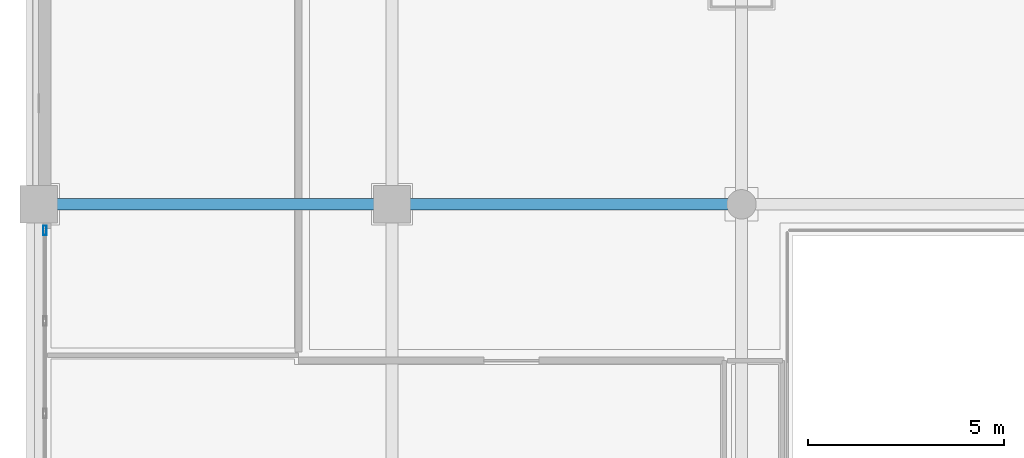
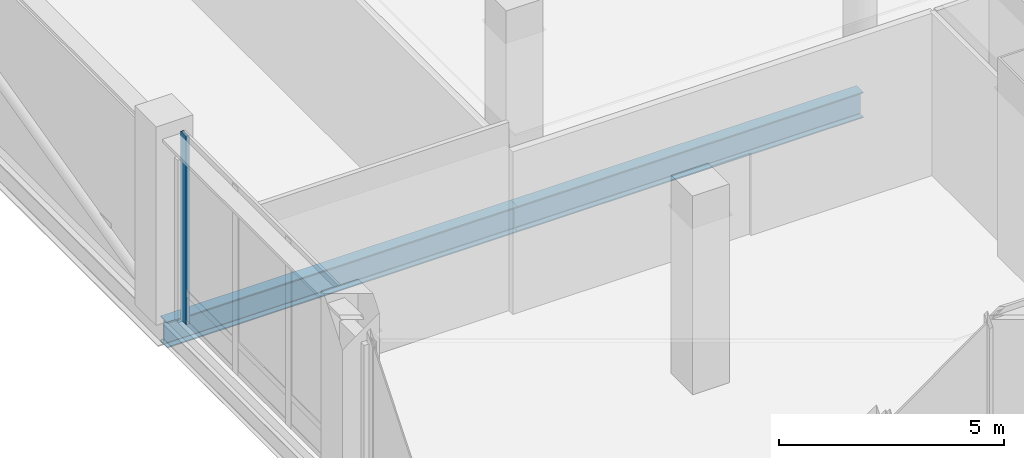
# One storey, part 6 of 43: 2 beams, 1 member, 1 element without a shape of its own.
"""IFC4 building model written with IfcOpenShell, lengths in metres."""

from ifc_helpers import new_model, si_unit, direction, frame, origin, origin_2d, place, context, subcontext, project, spatial, hollow_rectangle, i_section, extrude, material, material_profile, profile_set, type_object, element, aggregate, save


model = new_model("IFC4")

# Units and contexts
model_context = context("Model", 3, precision=1e-05, world=origin(), true_north=direction((0.0, 1.0)))
body_context = subcontext(model_context, "Body", "Model", "MODEL_VIEW")
ifc_project = project(units=[si_unit("LENGTHUNIT", "METRE"), si_unit("AREAUNIT", "SQUARE_METRE"), si_unit("VOLUMEUNIT", "CUBIC_METRE"), si_unit("PLANEANGLEUNIT", "RADIAN"), si_unit("MASSUNIT", "GRAM", prefix="KILO")], contexts=[model_context])

# Site, building, storey
site_placement = place(None, origin())
site = spatial("IfcSite", under=ifc_project, at=site_placement, CompositionType="ELEMENT")
building_placement = place(site_placement, origin())
building = spatial("IfcBuilding", under=site, at=building_placement, Name="Punatoya Terracotta Tower", CompositionType="ELEMENT")
storey_placement = place(building_placement, frame((0.0, 0.0, 6.0)))
storey = spatial("IfcBuildingStorey", under=building, at=storey_placement, Name="L01", CompositionType="ELEMENT", Elevation=6.0)

# Beams
ifc_material_1 = material(Name="Steel S355", Category="steel")
ifc_material_profile_1 = material_profile(ifc_material_1, i_section(OverallWidth=0.300048828125, OverallDepth=0.699951171875, WebThickness=0.01708984375, FlangeThickness=0.031982421875, FilletRadius=0.01806640625, at=origin_2d()))
ifc_profile_set_1 = profile_set([ifc_material_profile_1], Name="Steel S355")
beam_type = type_object("IfcBeamType", Name="BM-PRI-700", PredefinedType="BEAM", material=ifc_profile_set_1)
beam_1_placement = place(storey_placement, frame((-37.0, -9.199951171875, -0.6298828125), z_axis=(1.0, 0.0, 0.0), x_axis=(0.0, 1.0, 0.0)))
element("IfcBeam", 1, at=beam_1_placement, inside=storey, type_object=beam_type, Name="BM-L01-CW1", PredefinedType="BEAM", context=body_context, shape_type="SweptSolid", body=[
    extrude(i_section(OverallWidth=0.300048828125, OverallDepth=0.699951171875, WebThickness=0.01708984375, FlangeThickness=0.031982421875, FilletRadius=0.01806640625, at=origin_2d()), origin(), (0.0, 0.0, 1.0), 9.0),
])
beam_2_placement = place(storey_placement, frame((-28.0, -9.199951171875, -0.6298828125), z_axis=(1.0, 0.0, 0.0), x_axis=(0.0, 1.0, 0.0)))
element("IfcBeam", 2, at=beam_2_placement, inside=storey, type_object=beam_type, Name="BM-L01-CW2", PredefinedType="BEAM", context=body_context, shape_type="SweptSolid", body=[
    extrude(i_section(OverallWidth=0.300048828125, OverallDepth=0.699951171875, WebThickness=0.01708984375, FlangeThickness=0.031982421875, FilletRadius=0.01806640625, at=origin_2d()), origin(), (0.0, 0.0, 1.0), 8.89990234375),
])

# Curtain wall, member
ifc_material_2 = material(Name="Aluminium 6063-T6 + Double Low-E Glass", Category="aluminium")
curtain_wall_type = type_object("IfcCurtainWallType", Name="CW-POD", PredefinedType="NOTDEFINED", material=ifc_material_2)
curtain_wall_placement = place(storey_placement, origin())
curtain_wall = element("IfcCurtainWall", 3, at=curtain_wall_placement, inside=storey, type_object=curtain_wall_type, Name="L01 Curtain Wall CWP-L01-W2", PredefinedType="NOTDEFINED")
ifc_material_3 = material(Name="Aluminium 6063-T6", Category="aluminium")
ifc_material_profile_2 = material_profile(ifc_material_3, hollow_rectangle(XDim=0.0849609375, YDim=0.239990234375, WallThickness=0.0048828125, at=origin_2d()))
ifc_profile_set_2 = profile_set([ifc_material_profile_2], Name="Aluminium 6063-T6")
member_type = type_object("IfcMemberType", Name="CW-MUL-POD", PredefinedType="MULLION", material=ifc_profile_set_2)
member_placement = place(storey_placement, frame((-36.840087890625, -9.864990234375, 0.0), z_axis=(0.0, 0.0, 1.0), x_axis=(1.0, 0.0, 0.0)))
member = element("IfcMember", 4, at=member_placement, type_object=member_type, Name="CWP-L01-W2 Mullion 03", PredefinedType="MULLION", context=body_context, shape_type="SweptSolid", body=[
    extrude(hollow_rectangle(XDim=0.0849609375, YDim=0.239990234375, WallThickness=0.0048828125, at=origin_2d()), origin(), (0.0, 0.0, 1.0), 5.1201171875),
])
aggregate(curtain_wall, [member])

save(model, "model.ifc")
